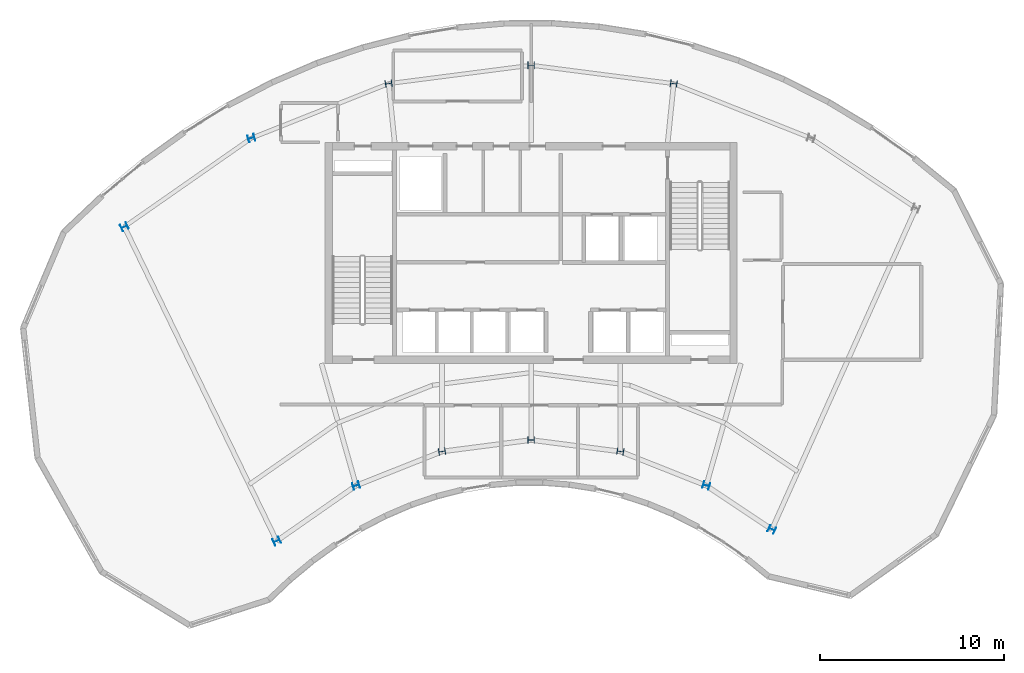
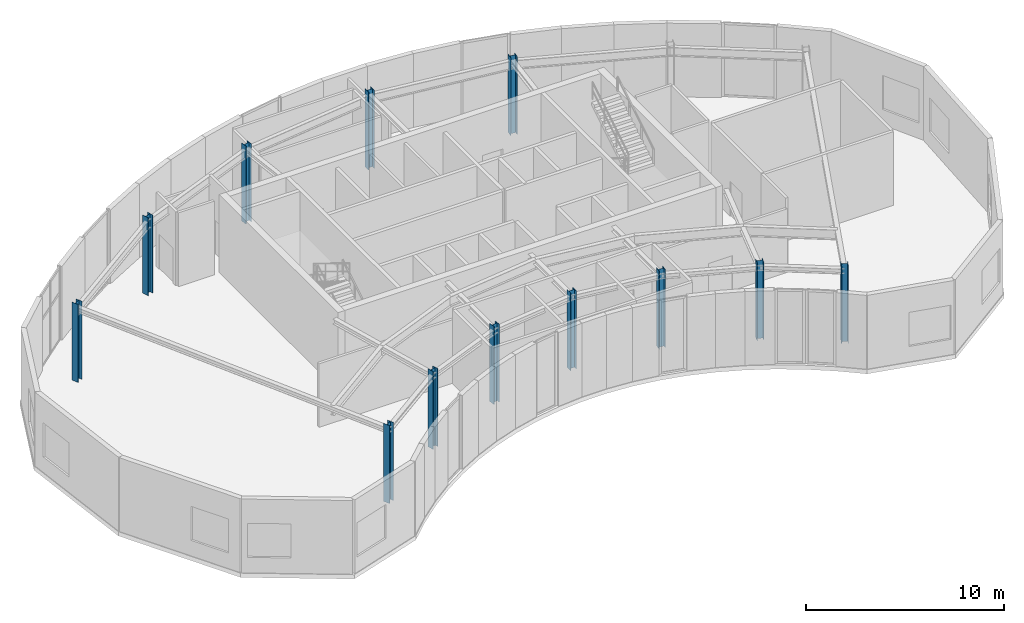
# One storey, part 1 of 10: 12 columns.
"""IFC4 building model written with IfcOpenShell, lengths in metres."""

from ifc_helpers import new_model, si_unit, direction, frame, origin, origin_2d, place, context, subcontext, project, spatial, i_section, extrude, source, transform, mapped, material, material_profile, profile_set, type_object, type_shapes, element, save


model = new_model("IFC4")

# Units and contexts
model_context = context("Model", 3, precision=1e-05, world=origin(), true_north=direction((0.0, 1.0)))
body_context = subcontext(model_context, "Body", "Model", "MODEL_VIEW")
ifc_project = project(units=[si_unit("LENGTHUNIT", "METRE"), si_unit("AREAUNIT", "SQUARE_METRE"), si_unit("VOLUMEUNIT", "CUBIC_METRE"), si_unit("PLANEANGLEUNIT", "RADIAN"), si_unit("MASSUNIT", "GRAM", prefix="KILO")], contexts=[model_context])

# Site, building, storey
site_placement = place(None, origin())
site = spatial("IfcSite", under=ifc_project, at=site_placement, CompositionType="ELEMENT")
building_placement = place(site_placement, origin())
building = spatial("IfcBuilding", under=site, at=building_placement, Name="Breltana Convention Tower", CompositionType="ELEMENT")
storey_placement = place(building_placement, frame((0.0, 0.0, 303.0)))
storey = spatial("IfcBuildingStorey", under=building, at=storey_placement, Name="L74", CompositionType="ELEMENT", Elevation=303.0)

# Columns
ifc_material = material(Name="Steel ASTM A992 Grade 50", Category="steel")
ifc_material_profile = material_profile(ifc_material, i_section(OverallWidth=0.368896484375, OverallDepth=0.35595703125, WebThickness=0.01123046875, FlangeThickness=0.01806640625, at=origin_2d()), Name="W14X90")
ifc_profile_set = profile_set([ifc_material_profile], Name="Steel ASTM A992 Grade 50")
column_type = type_object("IfcColumnType", Name="COL-STL-W14X90", PredefinedType="COLUMN", material=ifc_profile_set)
shared_shape = source(origin(), body_context, "Body", "SweptSolid", [
    extrude(i_section(OverallWidth=0.368896484375, OverallDepth=0.35595703125, WebThickness=0.01123046875, FlangeThickness=0.01806640625, at=origin_2d()), origin(), (0.0, 0.0, 1.0), 4.800048828125),
])
type_shapes(column_type, [shared_shape])
for number, where, z_axis, x_axis, name in (
    (1, (34.166259765625, 50.544921875, 0.0), (0.0, 0.0, 1.0), (-0.436173672171, 0.899862504889, 0.0), "L74 Tower Column R03-IN"),
    (2, (25.8876953125, 67.626953125, 0.0), (0.0, 0.0, 1.0), (-0.436173672171, 0.899862504889, 0.0), "L74 Tower Column R03-OUT"),
    (3, (38.485107421875, 53.5576171875, 0.0), (0.0, 0.0, 1.0), (-0.288697611798, 0.957420330337, 0.0), "L74 Tower Column R04-IN"),
    (4, (32.791015625, 72.4423828125, 0.0), (0.0, 0.0, 1.0), (-0.288697611798, 0.957420330337, 0.0), "L74 Tower Column R04-OUT"),
    (5, (43.153564453125, 55.41064453125, 0.0), (0.0, 0.0, 1.0), (-0.143492621991, 0.98965138682, 0.0), "L74 Tower Column R05-IN"),
    (6, (40.253173828125, 75.404296875, 0.0), (0.0, 0.0, 1.0), (-0.143492621991, 0.98965138682, 0.0), "L74 Tower Column R05-OUT"),
    (7, (48.0, 56.035888671875, 0.0), (0.0, 0.0, 1.0), (0.0, 1.0, 0.0), "L74 Tower Column R06-IN"),
    (8, (48.0, 76.404052734375, 0.0), (0.0, 0.0, 1.0), (0.0, 1.0, 0.0), "L74 Tower Column R06-OUT"),
    (9, (52.846435546875, 55.41064453125, 0.0), (0.0, 0.0, 1.0), (0.143492621991, 0.98965138682, 0.0), "L74 Tower Column R07-IN"),
    (10, (55.746826171875, 75.404296875, 0.0), (0.0, 0.0, 1.0), (0.143492621991, 0.98965138682, 0.0), "L74 Tower Column R07-OUT"),
    (11, (57.514892578125, 53.5576171875, 0.0), (0.0, 0.0, 1.0), (0.288697611798, 0.957420330337, 0.0), "L74 Tower Column R08-IN"),
    (12, (61.08203125, 51.174560546875, 0.0), (0.0, 0.0, 1.0), (0.409126902895, 0.912477494148, 0.0), "L74 Tower Column R09-IN"),
):
    element("IfcColumn", number, at=place(storey_placement, frame(where, z_axis=z_axis, x_axis=x_axis)), inside=storey, type_object=column_type, Name=name, PredefinedType="COLUMN", context=body_context, shape_type="MappedRepresentation", body=[
        mapped(shared_shape, transform((0.0, 0.0, 0.0), scale=1.0)),
    ])

save(model, "model.ifc")
